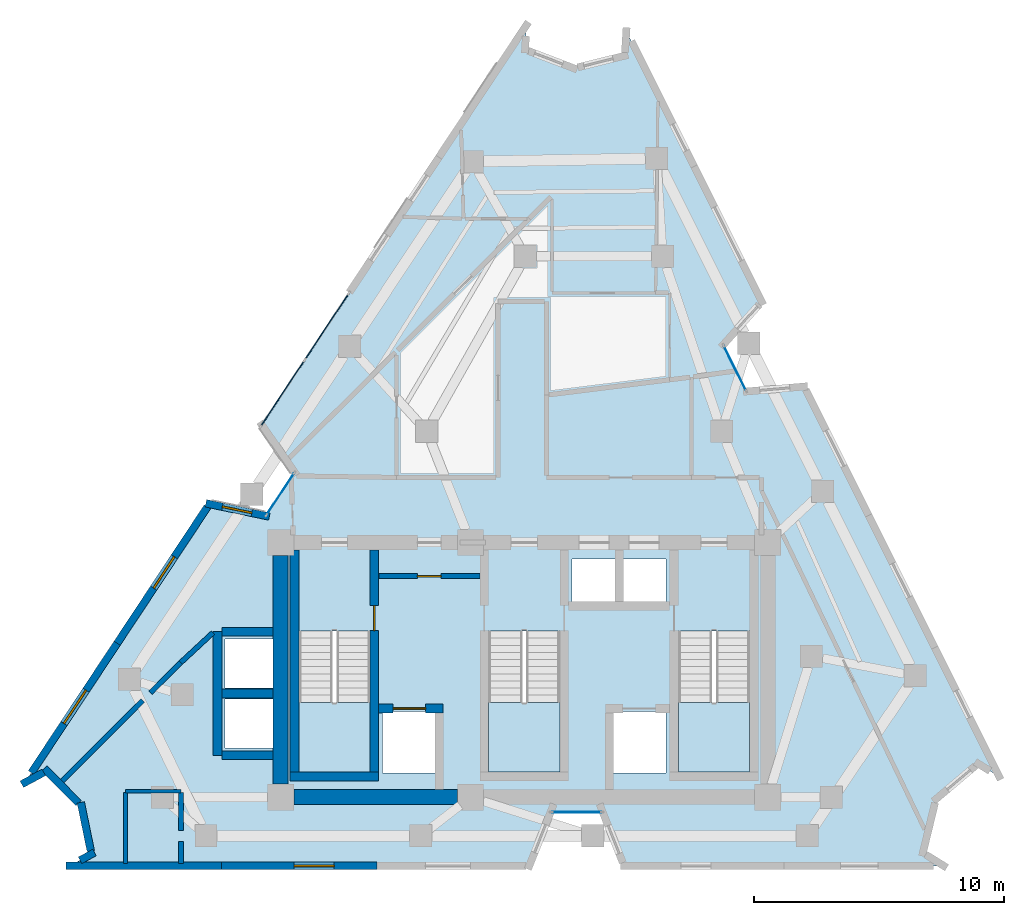
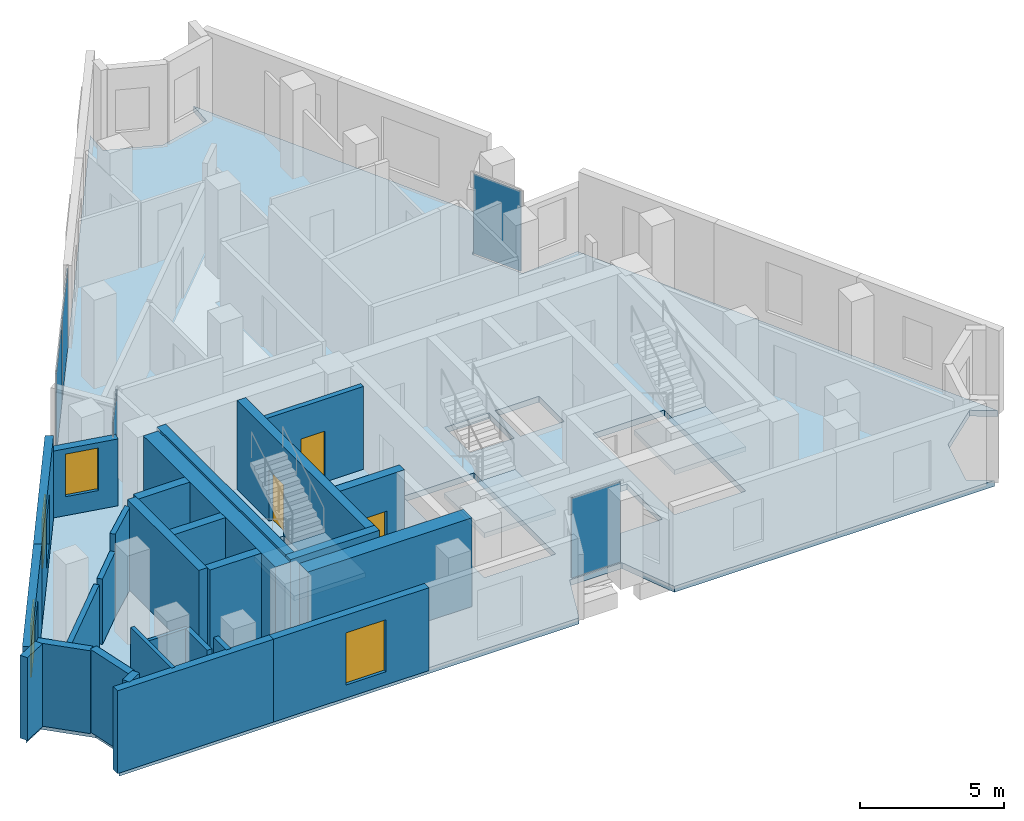
# One storey, part 4 of 8: 27 walls, 5 plates, 4 slabs, 4 windows, 3 doors, 7 openings, 7 elements without a shape of their own.
"""IFC4 building model written with IfcOpenShell, lengths in metres."""

from ifc_helpers import new_model, si_unit, direction, frame, frame_2d, origin, origin_2d, place, context, subcontext, project, spatial, polyline, rectangle, outline, extrude, material, layer, layer_set, type_object, element, fill, aggregate, save


model = new_model("IFC4")

# Units and contexts
model_context = context("Model", 3, precision=1e-05, world=origin(), true_north=direction((0.0, 1.0)))
body_context = subcontext(model_context, "Body", "Model", "MODEL_VIEW")
ifc_project = project(units=[si_unit("LENGTHUNIT", "METRE"), si_unit("AREAUNIT", "SQUARE_METRE"), si_unit("VOLUMEUNIT", "CUBIC_METRE"), si_unit("PLANEANGLEUNIT", "RADIAN"), si_unit("MASSUNIT", "GRAM", prefix="KILO")], contexts=[model_context])

# Site, building, storey
site_placement = place(None, origin())
site = spatial("IfcSite", under=ifc_project, at=site_placement, CompositionType="ELEMENT")
building_placement = place(site_placement, origin())
building = spatial("IfcBuilding", under=site, at=building_placement, Name="Almagre Mirador Tower", CompositionType="ELEMENT")
storey_placement = place(building_placement, frame((0.0, 0.0, 263.25)))
storey = spatial("IfcBuildingStorey", under=building, at=storey_placement, Name="L68", CompositionType="ELEMENT", Elevation=263.25)

# Curtain wall, plate
ifc_material_1 = material(Name="Black anodized aluminium", Category="aluminium")
ifc_layer_1 = layer(ifc_material_1, 0.169921875)
ifc_layer_set_1 = layer_set([ifc_layer_1], Name="Black anodized aluminium")
curtain_wall_type_1 = type_object("IfcCurtainWallType", Name="CW-CRS-SYS", PredefinedType="NOTDEFINED", material=ifc_layer_set_1)
curtain_wall_1_placement = place(storey_placement, origin())
curtain_wall_1 = element("IfcCurtainWall", 1, at=curtain_wall_1_placement, inside=storey, type_object=curtain_wall_type_1, Name="L68 vertical crease curtain wall 01", PredefinedType="NOTDEFINED")
ifc_material_2 = material(Name="Dark solar-control laminated hurricane glass", Category="glass")
ifc_layer_2 = layer(ifc_material_2, 0.028076171875)
ifc_layer_set_2 = layer_set([ifc_layer_2], Name="Dark solar-control laminated hurricane glass")
plate_type_1 = type_object("IfcPlateType", Name="PLT-GLZ-28", PredefinedType="CURTAIN_PANEL", material=ifc_layer_set_2)
plate_1_placement = place(storey_placement, frame((27.535888671875, 16.6865234375, 0.06005859375), z_axis=(0.0, 0.0, 1.0), x_axis=(0.552047907303, 0.833812393793, 0.0)))
plate_1 = element("IfcPlate", 2, at=plate_1_placement, type_object=plate_type_1, Name="CW-4 panel 1.1", PredefinedType="CURTAIN_PANEL", context=body_context, shape_type="SweptSolid", body=[
    extrude(rectangle(XDim=1.970458984375, YDim=0.028076171875, at=origin_2d()), origin(), (0.0, 0.0, 1.0), 3.3798828125),
])
aggregate(curtain_wall_1, [plate_1])

curtain_wall_2_placement = place(storey_placement, origin())
curtain_wall_2 = element("IfcCurtainWall", 3, at=curtain_wall_2_placement, inside=storey, type_object=curtain_wall_type_1, Name="L68 vertical crease curtain wall 03", PredefinedType="NOTDEFINED")
plate_2_placement = place(storey_placement, frame((45.7333984375, 21.72607421875, 0.06005859375), z_axis=(0.0, 0.0, 1.0), x_axis=(0.447213595499, -0.894427191001, 0.0)))
plate_2 = element("IfcPlate", 4, at=plate_2_placement, type_object=plate_type_1, Name="CW-4 panel 1.1", PredefinedType="CURTAIN_PANEL", context=body_context, shape_type="SweptSolid", body=[
    extrude(rectangle(XDim=1.970703125, YDim=0.028076171875, at=origin_2d()), origin(), (0.0, 0.0, 1.0), 3.3798828125),
])
aggregate(curtain_wall_2, [plate_2])

curtain_wall_3_placement = place(storey_placement, origin())
curtain_wall_3 = element("IfcCurtainWall", 5, at=curtain_wall_3_placement, inside=storey, type_object=curtain_wall_type_1, Name="L68 vertical crease curtain wall 04", PredefinedType="NOTDEFINED")
plate_3_placement = place(storey_placement, frame((39.39990234375, 3.949951171875, 0.06005859375), z_axis=(0.0, 0.0, 1.0), x_axis=(-1.0, 0.0, 0.0)))
plate_3 = element("IfcPlate", 6, at=plate_3_placement, type_object=plate_type_1, Name="CW-4 panel 1.1", PredefinedType="CURTAIN_PANEL", context=body_context, shape_type="SweptSolid", body=[
    extrude(rectangle(XDim=1.969970703125, YDim=0.028076171875, at=origin_2d()), origin(), (0.0, 0.0, 1.0), 3.3798828125),
])
aggregate(curtain_wall_3, [plate_3])

# Curtain wall, plates
ifc_material_3 = material(Name="Black anodized aluminium", Category="aluminium")
ifc_layer_3 = layer(ifc_material_3, 0.199951171875)
ifc_layer_set_3 = layer_set([ifc_layer_3], Name="Black anodized aluminium")
curtain_wall_type_2 = type_object("IfcCurtainWallType", Name="CW-RES-H-SYS", PredefinedType="NOTDEFINED", material=ifc_layer_set_3)
curtain_wall_4_placement = place(storey_placement, origin())
curtain_wall_4 = element("IfcCurtainWall", 7, at=curtain_wall_4_placement, inside=storey, type_object=curtain_wall_type_2, Name="L68 curtain wall run 02", PredefinedType="NOTDEFINED")
ifc_material_4 = material(Name="Dark solar-control laminated hurricane glass", Category="glass")
ifc_layer_4 = layer(ifc_material_4, 0.035888671875)
ifc_layer_set_4 = layer_set([ifc_layer_4], Name="Dark solar-control laminated hurricane glass")
plate_type_2 = type_object("IfcPlateType", Name="PLT-GLZ-36", PredefinedType="CURTAIN_PANEL", material=ifc_layer_set_4)
plate_4_placement = place(storey_placement, frame((27.619873046875, 20.708251953125, 0.06494140625), z_axis=(0.0, 0.0, 1.0), x_axis=(0.552127872142, 0.833759445406, 0.0)))
plate_4 = element("IfcPlate", 8, at=plate_4_placement, type_object=plate_type_2, Name="CW-3 panel 1.1", PredefinedType="CURTAIN_PANEL", context=body_context, shape_type="SweptSolid", body=[
    extrude(rectangle(XDim=3.14892578125, YDim=0.035888671875, at=origin_2d()), origin(), (0.0, 0.0, 1.0), 3.3701171875),
])
plate_5_placement = place(storey_placement, frame((29.394287109375, 23.387939453125, 0.06494140625), z_axis=(0.0, 0.0, 1.0), x_axis=(0.552127872142, 0.833759445406, 0.0)))
plate_5 = element("IfcPlate", 9, at=plate_5_placement, type_object=plate_type_2, Name="CW-3 panel 2.1", PredefinedType="CURTAIN_PANEL", context=body_context, shape_type="SweptSolid", body=[
    extrude(rectangle(XDim=3.14892578125, YDim=0.035888671875, at=origin_2d()), origin(), (0.0, 0.0, 1.0), 3.3701171875),
])
aggregate(curtain_wall_4, [plate_4, plate_5])

# Slab
ifc_material_5 = material(Name="Concrete C45/55", Category="concrete")
ifc_layer_5 = layer(ifc_material_5, 0.25)
ifc_layer_set_5 = layer_set([ifc_layer_5], Name="Concrete C45/55")
slab_type_1 = type_object("IfcSlabType", Name="SLB-FLR-250", PredefinedType="FLOOR", material=ifc_layer_set_5)
slab_1_placement = place(storey_placement, frame((0.0, 0.0, -0.25)))
element("IfcSlab", 10, at=slab_1_placement, inside=storey, type_object=slab_type_1, Name="L68 structural floor slab", PredefinedType="FLOOR", context=body_context, shape_type="SweptSolid", body=[
    extrude(outline(polyline([(17.30810546875, 5.135009765625), (18.180908203125, 5.60400390625), (19.574951171875, 4.2041015625), (19.971923828125, 2.26904296875), (19.10009765625, 1.800048828125), (37.5, 1.800048828125), (38.35498046875, 3.949951171875), (40.445068359375, 3.949951171875), (41.300048828125, 1.800048828125), (54.10009765625, 1.800048828125), (53.258056640625, 2.320068359375), (53.779052734375, 4.470947265625), (55.468994140625, 5.89794921875), (56.31103515625, 5.3779296875), (48.506103515625, 20.988037109375), (46.200927734375, 20.791015625), (45.26611328125, 22.660888671875), (46.806884765625, 24.386962890625), (41.388916015625, 35.221923828125), (41.3291015625, 34.23388671875), (39.2919921875, 33.72900390625), (37.33203125, 34.47705078125), (37.39208984375, 35.465087890625), (26.7919921875, 19.4580078125), (28.113037109375, 17.55810546875), (26.958984375, 15.81494140625), (24.694091796875, 16.2890625), (17.30810546875, 5.135009765625)]), holes=[polyline([(43.47509765625, 5.550048828125), (43.47509765625, 11.196044921875), (46.324951171875, 11.196044921875), (46.324951171875, 5.550048828125), (43.47509765625, 5.550048828125)]), polyline([(41.219970703125, 12.320068359375), (41.219970703125, 14.080078125), (42.97998046875, 14.080078125), (42.97998046875, 12.320068359375), (41.219970703125, 12.320068359375)]), polyline([(42.97998046875, 5.52001953125), (40.820068359375, 5.52001953125), (40.820068359375, 7.97998046875), (42.97998046875, 7.97998046875), (42.97998046875, 5.52001953125)]), polyline([(39.219970703125, 12.320068359375), (39.219970703125, 14.080078125), (40.97998046875, 14.080078125), (40.97998046875, 12.320068359375), (39.219970703125, 12.320068359375)]), polyline([(35.875, 5.550048828125), (35.875, 11.196044921875), (38.72509765625, 11.196044921875), (38.72509765625, 5.550048828125), (35.875, 5.550048828125)]), polyline([(33.780029296875, 5.52001953125), (31.6201171875, 5.52001953125), (31.6201171875, 7.97998046875), (33.780029296875, 7.97998046875), (33.780029296875, 5.52001953125)]), polyline([(28.27490234375, 5.550048828125), (28.27490234375, 11.196044921875), (31.125, 11.196044921875), (31.125, 5.550048828125), (28.27490234375, 5.550048828125)]), polyline([(27.3798828125, 6.52001953125), (25.320068359375, 6.52001953125), (25.320068359375, 8.47998046875), (27.3798828125, 8.47998046875), (27.3798828125, 6.52001953125)]), polyline([(27.3798828125, 8.919921875), (25.320068359375, 8.919921875), (25.320068359375, 10.8798828125), (27.3798828125, 10.8798828125), (27.3798828125, 8.919921875)])]), origin(), (0.0, 0.0, 1.0), 0.25),
])

# Stair, slab
ifc_material_6 = material(Name="Concrete C45/55", Category="concrete")
stair_type = type_object("IfcStairType", Name="STR-DL-3750", PredefinedType="HALF_TURN_STAIR", material=ifc_material_6)
stair_1_placement = place(storey_placement, origin())
stair_1 = element("IfcStair", 11, at=stair_1_placement, inside=storey, type_object=stair_type, Name="L68 Protected exit stair ST-1", PredefinedType="HALF_TURN_STAIR")
ifc_material_7 = material(Name="Concrete C45/55", Category="concrete")
ifc_layer_6 = layer(ifc_material_7, 0.199951171875)
ifc_layer_set_6 = layer_set([ifc_layer_6], Name="Concrete C45/55")
slab_type_2 = type_object("IfcSlabType", Name="SLB-LND-200", PredefinedType="LANDING", material=ifc_layer_set_6)
slab_2_placement = place(storey_placement, frame((0.0, 0.0, 1.675048828125)))
slab_2 = element("IfcSlab", 12, at=slab_2_placement, type_object=slab_type_2, Name="ST-1 landing 1", PredefinedType="LANDING", context=body_context, shape_type="SweptSolid", body=[
    extrude(outline(polyline([(28.27490234375, 8.35009765625), (28.27490234375, 5.550048828125), (31.125, 5.550048828125), (31.125, 8.35009765625), (28.27490234375, 8.35009765625)])), origin(), (0.0, 0.0, 1.0), 0.199951171875),
])
aggregate(stair_1, [slab_2])

stair_2_placement = place(storey_placement, origin())
stair_2 = element("IfcStair", 13, at=stair_2_placement, inside=storey, type_object=stair_type, Name="L68 Protected exit stair ST-2", PredefinedType="HALF_TURN_STAIR")
slab_3_placement = place(storey_placement, frame((0.0, 0.0, 1.675048828125)))
slab_3 = element("IfcSlab", 14, at=slab_3_placement, type_object=slab_type_2, Name="ST-2 landing 1", PredefinedType="LANDING", context=body_context, shape_type="SweptSolid", body=[
    extrude(outline(polyline([(35.875, 8.35009765625), (35.875, 5.550048828125), (38.72509765625, 5.550048828125), (38.72509765625, 8.35009765625), (35.875, 8.35009765625)])), origin(), (0.0, 0.0, 1.0), 0.199951171875),
])
aggregate(stair_2, [slab_3])

stair_3_placement = place(storey_placement, origin())
stair_3 = element("IfcStair", 15, at=stair_3_placement, inside=storey, type_object=stair_type, Name="L68 Protected exit stair ST-3", PredefinedType="HALF_TURN_STAIR")
slab_4_placement = place(storey_placement, frame((0.0, 0.0, 1.675048828125)))
slab_4 = element("IfcSlab", 16, at=slab_4_placement, type_object=slab_type_2, Name="ST-3 landing 1", PredefinedType="LANDING", context=body_context, shape_type="SweptSolid", body=[
    extrude(outline(polyline([(43.47509765625, 8.35009765625), (43.47509765625, 5.550048828125), (46.324951171875, 5.550048828125), (46.324951171875, 8.35009765625), (43.47509765625, 8.35009765625)])), origin(), (0.0, 0.0, 1.0), 0.199951171875),
])
aggregate(stair_3, [slab_4])

# Wall, opening, window
ifc_material_8 = material(Name="Precast concrete C50/60", Category="concrete")
ifc_layer_7 = layer(ifc_material_8, 0.300048828125)
ifc_layer_set_7 = layer_set([ifc_layer_7], Name="Precast concrete C50/60")
wall_type_1 = type_object("IfcWallType", Name="WAL-EXT-300", PredefinedType="SOLIDWALL", material=ifc_layer_set_7)
wall_1_placement = place(storey_placement, frame((24.556884765625, 16.317626953125, 0.0), z_axis=(0.0, 0.0, 1.0), x_axis=(0.978804667181, -0.204796053441, 0.0)))
wall_1 = element("IfcWall", 17, at=wall_1_placement, inside=storey, type_object=wall_type_1, Name="L68 expressed almagre precast frame wall 01", PredefinedType="SOLIDWALL", context=body_context, shape_type="SweptSolid", body=[
    extrude(rectangle(XDim=2.593994140625, YDim=0.300048828125, at=frame_2d((1.296875, 0.0))), origin(), (0.0, 0.0, 1.0), 2.824951171875),
])
opening_1_placement = place(wall_1_placement, frame((0.675048828125, 0.0, 0.800048828125)))
opening_1 = element("IfcOpeningElement", 18, at=opening_1_placement, cuts=wall_1, Name="Opening WN-04", PredefinedType="OPENING", context=body_context, shape_type="SweptSolid", body=[
    extrude(rectangle(XDim=1.199951171875, YDim=1.800048828125, at=frame_2d((0.60009765625, 0.89990234375))), frame((0.0, 0.159902, 0.0), z_axis=(0.0, -1.0, 0.0), x_axis=(1.0, 0.0, 0.0)), (0.0, 0.0, 1.0), 0.320049),
])
ifc_material_9 = material(Name="Dark solar-control laminated hurricane glass", Category="glass")
window_type_1 = type_object("IfcWindowType", Name="WIN-1200X1800", PartitioningType="SINGLE_PANEL", PredefinedType="WINDOW", material=ifc_material_9)
window_1_placement = place(opening_1_placement, origin())
window_1 = element("IfcWindow", 19, at=window_1_placement, inside=storey, type_object=window_type_1, Name="L68 recessed hurricane window L68-RST-D", OverallHeight=1.800048828125, OverallWidth=1.199951171875, PartitioningType="SINGLE_PANEL", PredefinedType="WINDOW", context=body_context, shape_type="SweptSolid", body=[
    extrude(rectangle(XDim=1.199951171875, YDim=1.800048828125, at=frame_2d((0.60009765625, 0.89990234375))), frame((0.0, 0.030029296875, 0.0), z_axis=(0.0, -1.0, 0.0), x_axis=(1.0, 0.0, 0.0)), (0.0, 0.0, 1.0), 0.06005859375),
])
fill(opening_1, window_1)

wall_2_placement = place(storey_placement, frame((31.413330078125, 1.800048828125, 0.0), z_axis=(0.0, 0.0, 1.0), x_axis=(-1.0, 0.0, 0.0)))
wall_2 = element("IfcWall", 20, at=wall_2_placement, inside=storey, type_object=wall_type_1, Name="L68 expressed almagre precast frame wall 25", PredefinedType="SOLIDWALL", context=body_context, shape_type="SweptSolid", body=[
    extrude(rectangle(XDim=6.2265625, YDim=0.300048828125, at=frame_2d((3.11328125, 0.0))), origin(), (0.0, 0.0, 1.0), 3.5),
])
opening_2_placement = place(wall_2_placement, frame((1.72509765625, 0.0, 0.550048828125)))
opening_2 = element("IfcOpeningElement", 21, at=opening_2_placement, cuts=wall_2, Name="Opening WN-06", PredefinedType="OPENING", context=body_context, shape_type="SweptSolid", body=[
    extrude(rectangle(XDim=1.60009765625, YDim=2.199951171875, at=frame_2d((0.800048828125, 1.10009765625))), frame((0.0, 0.159902, 0.0), z_axis=(0.0, -1.0, 0.0), x_axis=(1.0, 0.0, 0.0)), (0.0, 0.0, 1.0), 0.320049),
])
ifc_material_10 = material(Name="Dark solar-control laminated hurricane glass", Category="glass")
window_type_2 = type_object("IfcWindowType", Name="WIN-1600X2200", PartitioningType="DOUBLE_PANEL_VERTICAL", PredefinedType="WINDOW", material=ifc_material_10)
window_2_placement = place(opening_2_placement, origin())
window_2 = element("IfcWindow", 22, at=window_2_placement, inside=storey, type_object=window_type_2, Name="L68 recessed hurricane window L68-UB-ST", OverallHeight=2.199951171875, OverallWidth=1.60009765625, PartitioningType="SINGLE_PANEL", PredefinedType="WINDOW", context=body_context, shape_type="SweptSolid", body=[
    extrude(rectangle(XDim=1.60009765625, YDim=2.199951171875, at=frame_2d((0.800048828125, 1.10009765625))), frame((0.0, 0.030029296875, 0.0), z_axis=(0.0, -1.0, 0.0), x_axis=(1.0, 0.0, 0.0)), (0.0, 0.0, 1.0), 0.06005859375),
])
fill(opening_2, window_2)

# Walls
wall_3_placement = place(storey_placement, frame((25.186767578125, 1.800048828125, 0.0), z_axis=(0.0, 0.0, 1.0), x_axis=(-1.0, 0.0, 0.0)))
element("IfcWall", 23, at=wall_3_placement, inside=storey, type_object=wall_type_1, Name="L68 expressed almagre precast frame wall 26", PredefinedType="SOLIDWALL", context=body_context, shape_type="SweptSolid", body=[
    extrude(rectangle(XDim=6.226806640625, YDim=0.300048828125, at=frame_2d((3.11328125, 0.0))), origin(), (0.0, 0.0, 1.0), 3.5),
])
wall_4_placement = place(storey_placement, frame((19.518310546875, 2.02490234375, 0.0), z_axis=(0.0, 0.0, 1.0), x_axis=(0.8806864219, 0.47369972164, 0.0)))
element("IfcWall", 24, at=wall_4_placement, inside=storey, type_object=wall_type_1, Name="L68 expressed almagre precast frame wall 27", PredefinedType="SOLIDWALL", context=body_context, shape_type="SweptSolid", body=[
    extrude(rectangle(XDim=0.655029296875, YDim=0.300048828125, at=frame_2d((0.32763671875, 0.0))), origin(), (0.0, 0.0, 1.0), 3.5),
])
wall_5_placement = place(storey_placement, frame((19.94580078125, 2.396484375, 0.0), z_axis=(0.0, 0.0, 1.0), x_axis=(-0.200962300898, 0.979598975917, 0.0)))
element("IfcWall", 25, at=wall_5_placement, inside=storey, type_object=wall_type_1, Name="L68 expressed almagre precast frame wall 28", PredefinedType="SOLIDWALL", context=body_context, shape_type="SweptSolid", body=[
    extrude(rectangle(XDim=1.985107421875, YDim=0.300048828125, at=frame_2d((0.99267578125, 0.0))), origin(), (0.0, 0.0, 1.0), 3.5),
])
wall_6_placement = place(storey_placement, frame((19.465576171875, 4.313720703125, 0.0), z_axis=(0.0, 0.0, 1.0), x_axis=(-0.705548527825, 0.708661608163, 0.0)))
element("IfcWall", 26, at=wall_6_placement, inside=storey, type_object=wall_type_1, Name="L68 expressed almagre precast frame wall 29", PredefinedType="SOLIDWALL", context=body_context, shape_type="SweptSolid", body=[
    extrude(rectangle(XDim=1.960693359375, YDim=0.300048828125, at=frame_2d((0.98046875, 0.0))), origin(), (0.0, 0.0, 1.0), 3.5),
])
wall_7_placement = place(storey_placement, frame((18.06640625, 5.54248046875, 0.0), z_axis=(0.0, 0.0, 1.0), x_axis=(-0.880815496191, -0.473459672696, 0.0)))
element("IfcWall", 27, at=wall_7_placement, inside=storey, type_object=wall_type_1, Name="L68 expressed almagre precast frame wall 30", PredefinedType="SOLIDWALL", context=body_context, shape_type="SweptSolid", body=[
    extrude(rectangle(XDim=1.0009765625, YDim=0.300048828125, at=frame_2d((0.50048828125, 0.0))), origin(), (0.0, 0.0, 1.0), 3.5),
])

# Wall, opening, window
wall_8_placement = place(storey_placement, frame((17.5703125, 5.531005859375, 0.0), z_axis=(0.0, 0.0, 1.0), x_axis=(0.552104356314, 0.833775017459, 0.0)))
wall_8 = element("IfcWall", 28, at=wall_8_placement, inside=storey, type_object=wall_type_1, Name="L68 expressed almagre precast frame wall 31", PredefinedType="SOLIDWALL", context=body_context, shape_type="SweptSolid", body=[
    extrude(rectangle(XDim=6.2138671875, YDim=0.300048828125, at=frame_2d((3.10693359375, 0.0))), origin(), (0.0, 0.0, 1.0), 3.5),
])
opening_3_placement = place(wall_8_placement, frame((2.360107421875, 0.0, 0.550048828125)))
opening_3 = element("IfcOpeningElement", 29, at=opening_3_placement, cuts=wall_8, Name="Opening WN-06", PredefinedType="OPENING", context=body_context, shape_type="SweptSolid", body=[
    extrude(rectangle(XDim=1.60009765625, YDim=2.199951171875, at=frame_2d((0.800048828125, 1.10009765625))), frame((0.0, 0.159902, 0.0), z_axis=(0.0, -1.0, 0.0), x_axis=(1.0, 0.0, 0.0)), (0.0, 0.0, 1.0), 0.320049),
])
window_3_placement = place(opening_3_placement, origin())
window_3 = element("IfcWindow", 30, at=window_3_placement, inside=storey, type_object=window_type_2, Name="L68 recessed hurricane window L68-RST-D", OverallHeight=2.199951171875, OverallWidth=1.60009765625, PartitioningType="SINGLE_PANEL", PredefinedType="WINDOW", context=body_context, shape_type="SweptSolid", body=[
    extrude(rectangle(XDim=1.60009765625, YDim=2.199951171875, at=frame_2d((0.800048828125, 1.10009765625))), frame((0.0, 0.030029296875, 0.0), z_axis=(0.0, -1.0, 0.0), x_axis=(1.0, 0.0, 0.0)), (0.0, 0.0, 1.0), 0.06005859375),
])
fill(opening_3, window_3)

wall_9_placement = place(storey_placement, frame((21.0009765625, 10.7119140625, 0.0), z_axis=(0.0, 0.0, 1.0), x_axis=(0.552092793922, 0.833782673662, 0.0)))
wall_9 = element("IfcWall", 31, at=wall_9_placement, inside=storey, type_object=wall_type_1, Name="L68 expressed almagre precast frame wall 32", PredefinedType="SOLIDWALL", context=body_context, shape_type="SweptSolid", body=[
    extrude(rectangle(XDim=6.553955078125, YDim=0.300048828125, at=frame_2d((3.27685546875, 0.0))), origin(), (0.0, 0.0, 1.0), 3.5),
])
opening_4_placement = place(wall_9_placement, frame((2.64990234375, 0.0, 0.60009765625)))
opening_4 = element("IfcOpeningElement", 32, at=opening_4_placement, cuts=wall_9, Name="Opening WN-03", PredefinedType="OPENING", context=body_context, shape_type="SweptSolid", body=[
    extrude(rectangle(XDim=1.5, YDim=2.10009765625, at=frame_2d((0.75, 1.050048828125))), frame((0.0, 0.159902, 0.0), z_axis=(0.0, -1.0, 0.0), x_axis=(1.0, 0.0, 0.0)), (0.0, 0.0, 1.0), 0.320049),
])
ifc_material_11 = material(Name="Dark solar-control laminated hurricane glass", Category="glass")
window_type_3 = type_object("IfcWindowType", Name="WIN-1500X2100", PartitioningType="DOUBLE_PANEL_VERTICAL", PredefinedType="WINDOW", material=ifc_material_11)
window_4_placement = place(opening_4_placement, origin())
window_4 = element("IfcWindow", 33, at=window_4_placement, inside=storey, type_object=window_type_3, Name="L68 recessed hurricane window L68-RST-D", OverallHeight=2.10009765625, OverallWidth=1.5, PartitioningType="SINGLE_PANEL", PredefinedType="WINDOW", context=body_context, shape_type="SweptSolid", body=[
    extrude(rectangle(XDim=1.5, YDim=2.10009765625, at=frame_2d((0.75, 1.050048828125))), frame((0.0, 0.030029296875, 0.0), z_axis=(0.0, -1.0, 0.0), x_axis=(1.0, 0.0, 0.0)), (0.0, 0.0, 1.0), 0.06005859375),
])
fill(opening_4, window_4)

# Walls
ifc_material_12 = material(Name="Gypsum acoustic stud partition", Category="other")
ifc_layer_8 = layer(ifc_material_12, 0.125)
ifc_layer_set_8 = layer_set([ifc_layer_8], Name="Gypsum acoustic stud partition")
wall_type_2 = type_object("IfcWallType", Name="WAL-PRT-125-UTL", PredefinedType="PARTITIONING", material=ifc_layer_set_8)
wall_10_placement = place(storey_placement, frame((21.340087890625, 4.7900390625, 0.0), z_axis=(0.0, 0.0, 1.0), x_axis=(1.0, 0.0, 0.0)))
element("IfcWall", 34, at=wall_10_placement, inside=storey, type_object=wall_type_2, Name="L68 interior partition 012", PredefinedType="PARTITIONING", context=body_context, shape_type="SweptSolid", body=[
    extrude(rectangle(XDim=2.2099609375, YDim=0.125, at=frame_2d((1.10498046875, 0.0))), origin(), (0.0, 0.0, 1.0), 2.68505859375),
])
ifc_material_13 = material(Name="Gypsum acoustic stud partition", Category="other")
ifc_layer_9 = layer(ifc_material_13, 0.14990234375)
ifc_layer_set_9 = layer_set([ifc_layer_9], Name="Gypsum acoustic stud partition")
wall_type_3 = type_object("IfcWallType", Name="WAL-PRT-150-STD", PredefinedType="PARTITIONING", material=ifc_layer_set_9)
wall_11_placement = place(storey_placement, frame((21.340087890625, 4.742431640625, 0.0), z_axis=(0.0, 0.0, 1.0), x_axis=(0.0, -1.0, 0.0)))
element("IfcWall", 35, at=wall_11_placement, inside=storey, type_object=wall_type_3, Name="L68 interior partition 017", PredefinedType="PARTITIONING", context=body_context, shape_type="SweptSolid", body=[
    extrude(rectangle(XDim=2.842529296875, YDim=0.14990234375, at=frame_2d((1.42138671875, 0.0))), origin(), (0.0, 0.0, 1.0), 3.5),
])

# Wall, opening, door
ifc_material_14 = material(Name="Gypsum acoustic stud partition", Category="other")
ifc_layer_10 = layer(ifc_material_14, 0.199951171875)
ifc_layer_set_10 = layer_set([ifc_layer_10], Name="Gypsum acoustic stud partition")
wall_type_4 = type_object("IfcWallType", Name="WAL-PRT-200-EI60", PredefinedType="PARTITIONING", material=ifc_layer_set_10)
wall_12_placement = place(storey_placement, frame((31.47998046875, 13.39990234375, 0.0), z_axis=(0.0, 0.0, 1.0), x_axis=(1.0, 0.0, 0.0)))
wall_12 = element("IfcWall", 36, at=wall_12_placement, inside=storey, type_object=wall_type_4, Name="L68 FFL-1 north enclosure wall", PredefinedType="PARTITIONING", context=body_context, shape_type="SweptSolid", body=[
    extrude(rectangle(XDim=4.0400390625, YDim=0.199951171875, at=frame_2d((2.02001953125, 0.0))), origin(), (0.0, 0.0, 1.0), 3.5),
])
opening_5_placement = place(wall_12_placement, frame((1.544921875, 0.0, 0.0)))
opening_5 = element("IfcOpeningElement", 37, at=opening_5_placement, cuts=wall_12, Name="Opening ID-02", PredefinedType="OPENING", context=body_context, shape_type="SweptSolid", body=[
    extrude(rectangle(XDim=0.949951171875, YDim=2.14990234375, at=frame_2d((0.47509765625, 1.074951171875))), frame((0.0, 0.110098, 0.0), z_axis=(0.0, -1.0, 0.0), x_axis=(1.0, 0.0, 0.0)), (0.0, 0.0, 1.0), 0.219951),
])
ifc_material_15 = material(Name="Fire-rated walnut timber", Category="wood")
door_type_1 = type_object("IfcDoorType", Name="DOR-FD60-950X2150", OperationType="NOTDEFINED", PredefinedType="DOOR", material=ifc_material_15)
door_1_placement = place(opening_5_placement, origin())
door_1 = element("IfcDoor", 38, at=door_1_placement, inside=storey, type_object=door_type_1, Name="DR-2072 L68 FFL-1 north smoke door", OperationType="SINGLE_SWING_RIGHT", OverallHeight=2.14990234375, OverallWidth=0.949951171875, PredefinedType="DOOR", context=body_context, shape_type="SweptSolid", body=[
    extrude(rectangle(XDim=0.949951171875, YDim=2.14990234375, at=frame_2d((0.47509765625, 1.074951171875))), frame((0.0, 0.02490234375, 0.0), z_axis=(0.0, -1.0, 0.0), x_axis=(1.0, 0.0, 0.0)), (0.0, 0.0, 1.0), 0.050048828125),
])
fill(opening_5, door_1)

# Walls
wall_13_placement = place(storey_placement, frame((22.030029296875, 8.419921875, 0.0), z_axis=(0.0, 0.0, 1.0), x_axis=(-0.707212572145, -0.707000974398, 0.0)))
element("IfcWall", 39, at=wall_13_placement, inside=storey, type_object=wall_type_4, Name="L68 interior partition 015", PredefinedType="PARTITIONING", context=body_context, shape_type="SweptSolid", body=[
    extrude(rectangle(XDim=4.615234375, YDim=0.199951171875, at=frame_2d((2.3076171875, 0.0))), origin(), (0.0, 0.0, 1.0), 2.820068359375),
])
wall_14_placement = place(storey_placement, frame((23.550048828125, 9.93994140625, 0.0), z_axis=(0.0, 0.0, 1.0), x_axis=(-0.707106781187, -0.707106781187, 0.0)))
element("IfcWall", 40, at=wall_14_placement, inside=storey, type_object=wall_type_4, Name="L68 interior partition 016", PredefinedType="PARTITIONING", context=body_context, shape_type="SweptSolid", body=[
    extrude(rectangle(XDim=1.711181640625, YDim=0.199951171875, at=frame_2d((0.85546875, 0.0))), origin(), (0.0, 0.0, 1.0), 2.763916015625),
])
wall_15_placement = place(storey_placement, frame((23.550048828125, 1.89990234375, 0.0), z_axis=(0.0, 0.0, 1.0), x_axis=(0.0, 1.0, 0.0)))
element("IfcWall", 41, at=wall_15_placement, inside=storey, type_object=wall_type_4, Name="L68 interior partition 018", PredefinedType="PARTITIONING", context=body_context, shape_type="SweptSolid", body=[
    extrude(rectangle(XDim=0.880126953125, YDim=0.199951171875, at=frame_2d((0.43994140625, 0.0))), origin(), (0.0, 0.0, 1.0), 3.5),
])
wall_16_placement = place(storey_placement, frame((23.550048828125, 3.219970703125, 0.0), z_axis=(0.0, 0.0, 1.0), x_axis=(0.0, 1.0, 0.0)))
element("IfcWall", 42, at=wall_16_placement, inside=storey, type_object=wall_type_4, Name="L68 interior partition 019", PredefinedType="PARTITIONING", context=body_context, shape_type="SweptSolid", body=[
    extrude(rectangle(XDim=1.5224609375, YDim=0.199951171875, at=frame_2d((0.76123046875, 0.0))), origin(), (0.0, 0.0, 1.0), 2.68505859375),
])
wall_17_placement = place(storey_placement, frame((24.83935546875, 11.137451171875, 0.0), z_axis=(0.0, 0.0, 1.0), x_axis=(-0.732709479124, -0.68054156317, 0.0)))
element("IfcWall", 43, at=wall_17_placement, inside=storey, type_object=wall_type_4, Name="L68 interior partition 022", PredefinedType="PARTITIONING", context=body_context, shape_type="SweptSolid", body=[
    extrude(rectangle(XDim=1.759521484375, YDim=0.199951171875, at=frame_2d((0.8798828125, 0.0))), origin(), (0.0, 0.0, 1.0), 3.5),
])
ifc_material_16 = material(Name="Concrete C60/75", Category="concrete")
ifc_layer_11 = layer(ifc_material_16, 0.35009765625)
ifc_layer_set_11 = layer_set([ifc_layer_11], Name="Concrete C60/75")
wall_type_5 = type_object("IfcWallType", Name="WAL-SHF-350", PredefinedType="SOLIDWALL", material=ifc_layer_set_11)
wall_18_placement = place(storey_placement, frame((28.10009765625, 5.199951171875, 0.0), z_axis=(0.0, 0.0, 1.0), x_axis=(0.0, 1.0, 0.0)))
element("IfcWall", 44, at=wall_18_placement, inside=storey, type_object=wall_type_5, Name="L68 shaft wall ST1-W", PredefinedType="SOLIDWALL", context=body_context, shape_type="SweptSolid", body=[
    extrude(rectangle(XDim=9.25, YDim=0.35009765625, at=frame_2d((4.625, 0.0))), origin(), (0.0, 0.0, 1.0), 3.75),
])

# Wall, opening, door
wall_19_placement = place(storey_placement, frame((31.300048828125, 5.199951171875, 0.0), z_axis=(0.0, 0.0, 1.0), x_axis=(0.0, 1.0, 0.0)))
wall_19 = element("IfcWall", 45, at=wall_19_placement, inside=storey, type_object=wall_type_5, Name="L68 shaft wall ST1-E", PredefinedType="SOLIDWALL", context=body_context, shape_type="SweptSolid", body=[
    extrude(rectangle(XDim=9.25, YDim=0.35009765625, at=frame_2d((4.625, 0.0))), origin(), (0.0, 0.0, 1.0), 3.75),
])
opening_6_placement = place(wall_19_placement, frame((6.02001953125, 0.0, 0.0)))
opening_6 = element("IfcOpeningElement", 46, at=opening_6_placement, cuts=wall_19, Name="Opening FD-01", PredefinedType="OPENING", context=body_context, shape_type="SweptSolid", body=[
    extrude(rectangle(XDim=1.0, YDim=2.14990234375, at=frame_2d((0.5, 1.074951171875))), frame((0.0, 0.185049, 0.0), z_axis=(0.0, -1.0, 0.0), x_axis=(1.0, 0.0, 0.0)), (0.0, 0.0, 1.0), 0.370098),
])
ifc_material_17 = material(Name="Fire-rated hollow steel", Category="steel")
door_type_2 = type_object("IfcDoorType", Name="DOR-FFL-1000X2150", OperationType="NOTDEFINED", PredefinedType="DOOR", material=ifc_material_17)
door_2_placement = place(opening_6_placement, origin())
door_2 = element("IfcDoor", 47, at=door_2_placement, inside=storey, type_object=door_type_2, Name="DR-2073 L68 FFL1-ST1 smokeproof door", OperationType="SINGLE_SWING_RIGHT", OverallHeight=2.14990234375, OverallWidth=1.0, PredefinedType="DOOR", context=body_context, shape_type="SweptSolid", body=[
    extrude(rectangle(XDim=1.0, YDim=2.14990234375, at=frame_2d((0.5, 1.074951171875))), frame((0.0, 0.02490234375, 0.0), z_axis=(0.0, -1.0, 0.0), x_axis=(1.0, 0.0, 0.0)), (0.0, 0.0, 1.0), 0.050048828125),
])
fill(opening_6, door_2)

# Wall
wall_20_placement = place(storey_placement, frame((27.925048828125, 5.375, 0.0), z_axis=(0.0, 0.0, 1.0), x_axis=(1.0, 0.0, 0.0)))
element("IfcWall", 48, at=wall_20_placement, inside=storey, type_object=wall_type_5, Name="L68 shaft wall ST1-S", PredefinedType="SOLIDWALL", context=body_context, shape_type="SweptSolid", body=[
    extrude(rectangle(XDim=3.550048828125, YDim=0.35009765625, at=frame_2d((1.77490234375, 0.0))), origin(), (0.0, 0.0, 1.0), 3.75),
])

# Wall, opening, door
wall_21_placement = place(storey_placement, frame((31.47509765625, 8.10009765625, 0.0), z_axis=(0.0, 0.0, 1.0), x_axis=(1.0, 0.0, 0.0)))
wall_21 = element("IfcWall", 49, at=wall_21_placement, inside=storey, type_object=wall_type_5, Name="L68 shaft wall FSAE1-N", PredefinedType="SOLIDWALL", context=body_context, shape_type="SweptSolid", body=[
    extrude(rectangle(XDim=2.574951171875, YDim=0.35009765625, at=frame_2d((1.28759765625, 0.0))), origin(), (0.0, 0.0, 1.0), 3.75),
])
opening_7_placement = place(wall_21_placement, frame((0.574951171875, 0.0, 0.0)))
opening_7 = element("IfcOpeningElement", 50, at=opening_7_placement, cuts=wall_21, Name="Opening LD-03", PredefinedType="OPENING", context=body_context, shape_type="SweptSolid", body=[
    extrude(rectangle(XDim=1.300048828125, YDim=2.25, at=frame_2d((0.64990234375, 1.125))), frame((0.0, 0.185049, 0.0), z_axis=(0.0, -1.0, 0.0), x_axis=(1.0, 0.0, 0.0)), (0.0, 0.0, 1.0), 0.370098),
])
ifc_material_18 = material(Name="Hollow stainless steel", Category="steel")
door_type_3 = type_object("IfcDoorType", Name="DOR-LD-1300X2250", OperationType="DOUBLE_DOOR_SLIDING", PredefinedType="DOOR", material=ifc_material_18)
door_3_placement = place(opening_7_placement, origin())
door_3 = element("IfcDoor", 51, at=door_3_placement, inside=storey, type_object=door_type_3, Name="DR-2088 L68 FSAE-1 lift landing door", OperationType="DOUBLE_DOOR_SLIDING", OverallHeight=2.25, OverallWidth=1.300048828125, PredefinedType="DOOR", context=body_context, shape_type="SweptSolid", body=[
    extrude(rectangle(XDim=1.300048828125, YDim=2.25, at=frame_2d((0.64990234375, 1.125))), frame((0.0, 0.02490234375, 0.0), z_axis=(0.0, -1.0, 0.0), x_axis=(1.0, 0.0, 0.0)), (0.0, 0.0, 1.0), 0.050048828125),
])
fill(opening_7, door_3)

# Walls
wall_22_placement = place(storey_placement, frame((25.02490234375, 6.22509765625, 0.0), z_axis=(0.0, 0.0, 1.0), x_axis=(0.0, 1.0, 0.0)))
element("IfcWall", 52, at=wall_22_placement, inside=storey, type_object=wall_type_5, Name="L68 shaft wall OL-W", PredefinedType="SOLIDWALL", context=body_context, shape_type="SweptSolid", body=[
    extrude(rectangle(XDim=4.949951171875, YDim=0.35009765625, at=frame_2d((2.47509765625, 0.0))), origin(), (0.0, 0.0, 1.0), 3.75),
])
for number, where, z_axis, x_axis, name in (
    (53, (25.199951171875, 6.22509765625, 0.0), (0.0, 0.0, 1.0), (1.0, 0.0, 0.0), "L68 shaft wall OL-S"),
    (54, (25.199951171875, 8.699951171875, 0.0), (0.0, 0.0, 1.0), (1.0, 0.0, 0.0), "L68 shaft wall OL-M"),
    (55, (25.199951171875, 11.175048828125, 0.0), (0.0, 0.0, 1.0), (1.0, 0.0, 0.0), "L68 shaft wall OL-N"),
):
    element("IfcWall", number, at=place(storey_placement, frame(where, z_axis=z_axis, x_axis=x_axis)), inside=storey, type_object=wall_type_5, Name=name, PredefinedType="SOLIDWALL", context=body_context, shape_type="SweptSolid", body=[
        extrude(rectangle(XDim=2.050048828125, YDim=0.35009765625, at=frame_2d((1.02490234375, 0.0))), origin(), (0.0, 0.0, 1.0), 3.75),
    ])
ifc_material_19 = material(Name="Concrete C60/75", Category="concrete")
ifc_layer_12 = layer(ifc_material_19, 0.60009765625)
ifc_layer_set_12 = layer_set([ifc_layer_12], Name="Concrete C60/75")
wall_type_6 = type_object("IfcWallType", Name="WAL-SHR-600", PredefinedType="SHEAR", material=ifc_layer_set_12)
wall_23_placement = place(storey_placement, frame((28.074951171875, 4.550048828125, 0.0), z_axis=(0.0, 0.0, 1.0), x_axis=(1.0, 0.0, 0.0)))
element("IfcWall", 56, at=wall_23_placement, inside=storey, type_object=wall_type_6, Name="L68 core shear wall S1", PredefinedType="SHEAR", context=body_context, shape_type="SweptSolid", body=[
    extrude(rectangle(XDim=6.550048828125, YDim=0.60009765625, at=frame_2d((3.27490234375, 0.0))), origin(), (0.0, 0.0, 1.0), 3.75),
])
wall_24_placement = place(storey_placement, frame((27.550048828125, 5.074951171875, 0.0), z_axis=(0.0, 0.0, 1.0), x_axis=(0.0, 1.0, 0.0)))
element("IfcWall", 57, at=wall_24_placement, inside=storey, type_object=wall_type_6, Name="L68 core shear wall W1", PredefinedType="SHEAR", context=body_context, shape_type="SweptSolid", body=[
    extrude(rectangle(XDim=9.150146484375, YDim=0.60009765625, at=frame_2d((4.5751953125, 0.0))), origin(), (0.0, 0.0, 1.0), 3.75),
])

save(model, "model.ifc")
